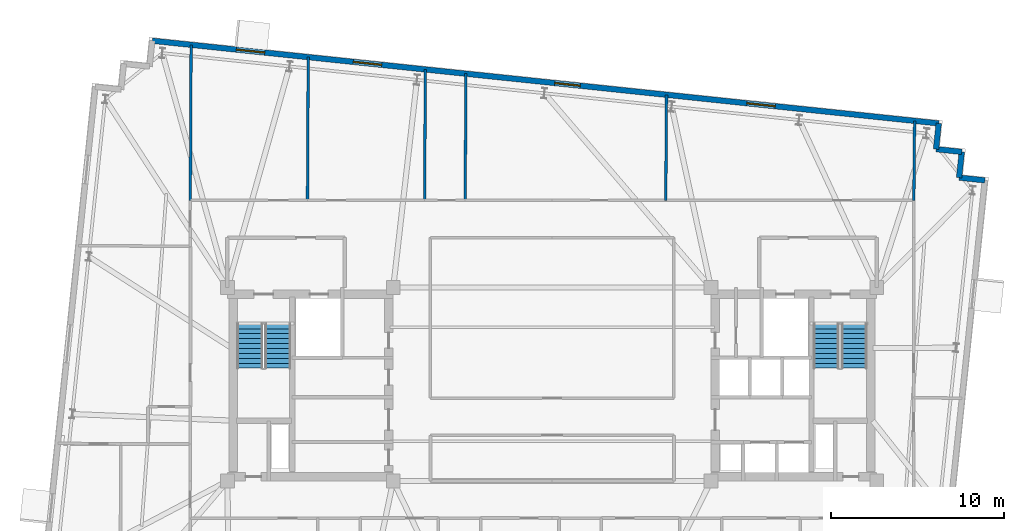
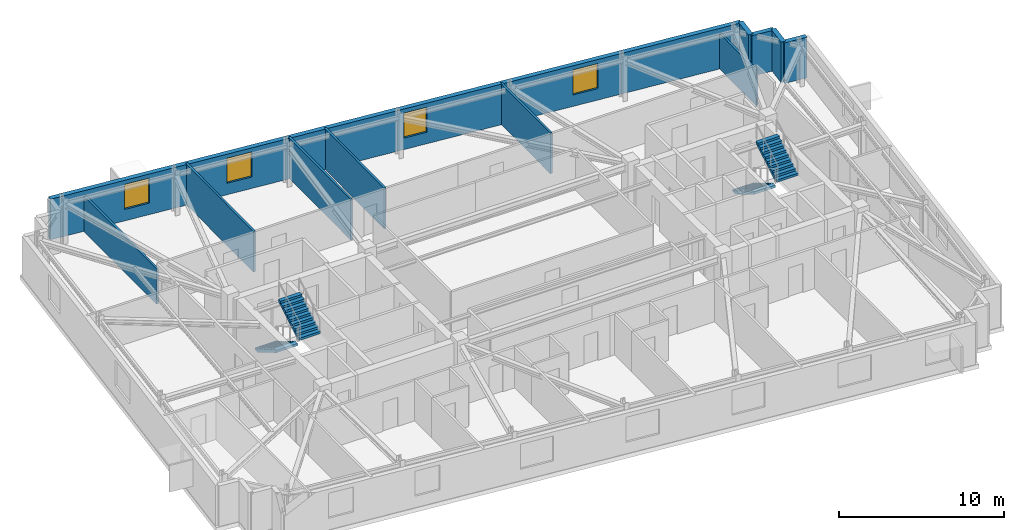
# One storey, part 9 of 11: 11 walls, 4 stair flights, 4 windows, 4 openings, 2 elements without a shape of their own.
"""IFC4 building model written with IfcOpenShell, lengths in metres."""

from ifc_helpers import new_model, si_unit, direction, frame, frame_2d, origin, place, context, subcontext, project, spatial, polyline, rectangle, outline, extrude, material, layer, layer_set, type_object, element, fill, aggregate, save


model = new_model("IFC4")

# Units and contexts
model_context = context("Model", 3, precision=1e-05, world=origin(), true_north=direction((0.0, 1.0)))
body_context = subcontext(model_context, "Body", "Model", "MODEL_VIEW")
ifc_project = project(units=[si_unit("LENGTHUNIT", "METRE"), si_unit("AREAUNIT", "SQUARE_METRE"), si_unit("VOLUMEUNIT", "CUBIC_METRE"), si_unit("PLANEANGLEUNIT", "RADIAN"), si_unit("MASSUNIT", "GRAM", prefix="KILO")], contexts=[model_context])

# Site, building, storey
site_placement = place(None, origin())
site = spatial("IfcSite", under=ifc_project, at=site_placement, CompositionType="ELEMENT")
building_placement = place(site_placement, origin())
building = spatial("IfcBuilding", under=site, at=building_placement, Name="Qobustan Lattice House", CompositionType="ELEMENT")
storey_placement = place(building_placement, frame((0.0, 0.0, 219.85009765625)))
storey = spatial("IfcBuildingStorey", under=building, at=storey_placement, Name="L62", CompositionType="ELEMENT", Elevation=219.85009765625)

# Wall, openings, windows
ifc_material_1 = material(Name="Precast concrete C40/50", Category="concrete")
ifc_layer_1 = layer(ifc_material_1, 0.320068359375)
ifc_layer_set_1 = layer_set([ifc_layer_1], Name="Precast concrete C40/50")
wall_type_1 = type_object("IfcWallType", Name="WAL-EXT-STONE-320", PredefinedType="SOLIDWALL", material=ifc_layer_set_1)
wall_1_placement = place(storey_placement, frame((-23.15576171875, 19.8984375, 0.0), z_axis=(0.0, 0.0, 1.0), x_axis=(0.994522001802, -0.104527450613, 0.0)))
wall_1 = element("IfcWall", 1, at=wall_1_placement, inside=storey, type_object=wall_type_1, Name="L62 exterior limestone-clad wall 10", PredefinedType="SOLIDWALL", context=body_context, shape_type="SweptSolid", body=[
    extrude(rectangle(XDim=45.800048828125, YDim=0.320068359375, at=frame_2d((22.89990234375, 0.0))), origin(), (0.0, 0.0, 1.0), 3.0),
])
opening_1_placement = place(wall_1_placement, frame((4.89990234375, 0.0, 0.85009765625)))
opening_1 = element("IfcOpeningElement", 2, at=opening_1_placement, cuts=wall_1, Name="Opening WN-09", PredefinedType="OPENING", context=body_context, shape_type="SweptSolid", body=[
    extrude(rectangle(XDim=1.64990234375, YDim=1.85009765625, at=frame_2d((0.824951171875, 0.925048828125))), frame((0.0, 0.169921875, 0.0), z_axis=(0.0, -1.0, 0.0), x_axis=(1.0, 0.0, 0.0)), (0.0, 0.0, 1.0), 0.340087890625),
])
opening_2_placement = place(wall_1_placement, frame((11.7060546875, 0.0, 0.85009765625)))
opening_2 = element("IfcOpeningElement", 3, at=opening_2_placement, cuts=wall_1, Name="Opening WN-09", PredefinedType="OPENING", context=body_context, shape_type="SweptSolid", body=[
    extrude(rectangle(XDim=1.64990234375, YDim=1.85009765625, at=frame_2d((0.824951171875, 0.925048828125))), frame((0.0, 0.169921875, 0.0), z_axis=(0.0, -1.0, 0.0), x_axis=(1.0, 0.0, 0.0)), (0.0, 0.0, 1.0), 0.340087890625),
])
opening_3_placement = place(wall_1_placement, frame((23.43115234375, 0.0, 0.85009765625)))
opening_3 = element("IfcOpeningElement", 4, at=opening_3_placement, cuts=wall_1, Name="Opening WN-01", PredefinedType="OPENING", context=body_context, shape_type="SweptSolid", body=[
    extrude(rectangle(XDim=1.5, YDim=1.85009765625, at=frame_2d((0.75, 0.925048828125))), frame((0.0, 0.169921875, 0.0), z_axis=(0.0, -1.0, 0.0), x_axis=(1.0, 0.0, 0.0)), (0.0, 0.0, 1.0), 0.340087890625),
])
opening_4_placement = place(wall_1_placement, frame((34.628173828125, 0.0, 0.85009765625)))
opening_4 = element("IfcOpeningElement", 5, at=opening_4_placement, cuts=wall_1, Name="Opening WN-09", PredefinedType="OPENING", context=body_context, shape_type="SweptSolid", body=[
    extrude(rectangle(XDim=1.64990234375, YDim=1.85009765625, at=frame_2d((0.824951171875, 0.925048828125))), frame((0.0, 0.169921875, 0.0), z_axis=(0.0, -1.0, 0.0), x_axis=(1.0, 0.0, 0.0)), (0.0, 0.0, 1.0), 0.340087890625),
])
ifc_material_2 = material(Name="Double-glazed low-E aluminium window", Category="aluminium")
window_type_1 = type_object("IfcWindowType", Name="WIN-BED-1500x1850", PartitioningType="SINGLE_PANEL", PredefinedType="WINDOW", material=ifc_material_2)
window_1_placement = place(opening_3_placement, origin())
window_1 = element("IfcWindow", 6, at=window_1_placement, inside=storey, type_object=window_type_1, Name="L62 Laundry utility room window", OverallHeight=1.85009765625, OverallWidth=1.5, PartitioningType="SINGLE_PANEL", PredefinedType="WINDOW", context=body_context, shape_type="SweptSolid", body=[
    extrude(rectangle(XDim=1.5, YDim=1.85009765625, at=frame_2d((0.75, 0.925048828125))), frame((0.0, 0.030029296875, 0.0), z_axis=(0.0, -1.0, 0.0), x_axis=(1.0, 0.0, 0.0)), (0.0, 0.0, 1.0), 0.06005859375),
])
fill(opening_3, window_1)
ifc_material_3 = material(Name="Double-glazed low-E aluminium window", Category="aluminium")
window_type_2 = type_object("IfcWindowType", Name="WIN-STU-1650x1850", PartitioningType="SINGLE_PANEL", PredefinedType="WINDOW", material=ifc_material_3)
window_2_placement = place(opening_1_placement, origin())
window_2 = element("IfcWindow", 7, at=window_2_placement, inside=storey, type_object=window_type_2, Name="L62 Focus study room N1A window", OverallHeight=1.85009765625, OverallWidth=1.64990234375, PartitioningType="SINGLE_PANEL", PredefinedType="WINDOW", context=body_context, shape_type="SweptSolid", body=[
    extrude(rectangle(XDim=1.64990234375, YDim=1.85009765625, at=frame_2d((0.824951171875, 0.925048828125))), frame((0.0, 0.030029296875, 0.0), z_axis=(0.0, -1.0, 0.0), x_axis=(1.0, 0.0, 0.0)), (0.0, 0.0, 1.0), 0.06005859375),
])
fill(opening_1, window_2)
window_3_placement = place(opening_2_placement, origin())
window_3 = element("IfcWindow", 8, at=window_3_placement, inside=storey, type_object=window_type_2, Name="L62 Focus study room N1B window", OverallHeight=1.85009765625, OverallWidth=1.64990234375, PartitioningType="SINGLE_PANEL", PredefinedType="WINDOW", context=body_context, shape_type="SweptSolid", body=[
    extrude(rectangle(XDim=1.64990234375, YDim=1.85009765625, at=frame_2d((0.824951171875, 0.925048828125))), frame((0.0, 0.030029296875, 0.0), z_axis=(0.0, -1.0, 0.0), x_axis=(1.0, 0.0, 0.0)), (0.0, 0.0, 1.0), 0.06005859375),
])
fill(opening_2, window_3)
window_4_placement = place(opening_4_placement, origin())
window_4 = element("IfcWindow", 9, at=window_4_placement, inside=storey, type_object=window_type_2, Name="L62 Focus study room N3 window", OverallHeight=1.85009765625, OverallWidth=1.64990234375, PartitioningType="SINGLE_PANEL", PredefinedType="WINDOW", context=body_context, shape_type="SweptSolid", body=[
    extrude(rectangle(XDim=1.64990234375, YDim=1.85009765625, at=frame_2d((0.824951171875, 0.925048828125))), frame((0.0, 0.030029296875, 0.0), z_axis=(0.0, -1.0, 0.0), x_axis=(1.0, 0.0, 0.0)), (0.0, 0.0, 1.0), 0.06005859375),
])
fill(opening_4, window_4)

# Walls
wall_2_placement = place(storey_placement, frame((22.393310546875, 15.111083984375, 0.0), z_axis=(0.0, 0.0, 1.0), x_axis=(-0.104481464157, -0.994526834051, 0.0)))
element("IfcWall", 10, at=wall_2_placement, inside=storey, type_object=wall_type_1, Name="L62 exterior limestone-clad wall 11", PredefinedType="SOLIDWALL", context=body_context, shape_type="SweptSolid", body=[
    extrude(rectangle(XDim=1.500244140625, YDim=0.320068359375, at=frame_2d((0.75, 0.0))), origin(), (0.0, 0.0, 1.0), 3.0),
])
for number, where, z_axis, x_axis, name in (
    (11, (22.236572265625, 13.619140625, 0.0), (0.0, 0.0, 1.0), (0.994525057048, -0.104498377516, 0.0), "L62 exterior limestone-clad wall 12"),
    (12, (23.728271484375, 13.46240234375, 0.0), (0.0, 0.0, 1.0), (-0.104498377516, -0.994525057048, 0.0), "L62 exterior limestone-clad wall 13"),
    (13, (23.571533203125, 11.970703125, 0.0), (0.0, 0.0, 1.0), (0.994508128223, -0.104659366031, 0.0), "L62 exterior limestone-clad wall 14"),
):
    element("IfcWall", number, at=place(storey_placement, frame(where, z_axis=z_axis, x_axis=x_axis)), inside=storey, type_object=wall_type_1, Name=name, PredefinedType="SOLIDWALL", context=body_context, shape_type="SweptSolid", body=[
        extrude(rectangle(XDim=1.5, YDim=0.320068359375, at=frame_2d((0.75, 0.0))), origin(), (0.0, 0.0, 1.0), 3.0),
    ])
ifc_material_4 = material(Name="Acoustic twin-stud gypsum partition", Category="gypsum")
ifc_layer_2 = layer(ifc_material_4, 0.14990234375)
ifc_layer_set_2 = layer_set([ifc_layer_2], Name="Acoustic twin-stud gypsum partition")
wall_type_2 = type_object("IfcWallType", Name="WAL-PART-150", PredefinedType="PARTITIONING", material=ifc_layer_set_2)
wall_3_placement = place(storey_placement, frame((-20.906005859375, 19.661865234375, 0.0), z_axis=(0.0, 0.0, 1.0), x_axis=(-0.004876272857, -0.999988110911, 0.0)))
element("IfcWall", 14, at=wall_3_placement, inside=storey, type_object=wall_type_2, Name="L62 interior partition 76", PredefinedType="PARTITIONING", context=body_context, shape_type="SweptSolid", body=[
    extrude(rectangle(XDim=9.011962890625, YDim=0.14990234375, at=frame_2d((4.505859375, 0.0))), origin(), (0.0, 0.0, 1.0), 2.625),
])
wall_4_placement = place(storey_placement, frame((20.949951171875, 10.64990234375, 0.0), z_axis=(0.0, 0.0, 1.0), x_axis=(0.009535990233, 0.999954531411, 0.0)))
element("IfcWall", 15, at=wall_4_placement, inside=storey, type_object=wall_type_2, Name="L62 interior partition 79", PredefinedType="PARTITIONING", context=body_context, shape_type="SweptSolid", body=[
    extrude(rectangle(XDim=4.6083984375, YDim=0.14990234375, at=frame_2d((2.30419921875, 0.0))), origin(), (0.0, 0.0, 1.0), 2.625),
])
wall_5_placement = place(storey_placement, frame((-14.12255859375, 18.948974609375, 0.0), z_axis=(0.0, 0.0, 1.0), x_axis=(-0.005295133602, -0.999985980682, 0.0)))
element("IfcWall", 16, at=wall_5_placement, inside=storey, type_object=wall_type_2, Name="L62 interior partition 80", PredefinedType="PARTITIONING", context=body_context, shape_type="SweptSolid", body=[
    extrude(rectangle(XDim=8.299072265625, YDim=0.14990234375, at=frame_2d((4.1494140625, 0.0))), origin(), (0.0, 0.0, 1.0), 3.0),
])
wall_6_placement = place(storey_placement, frame((6.626953125, 16.76806640625, 0.0), z_axis=(0.0, 0.0, 1.0), x_axis=(-0.007182576093, -0.999974204968, 0.0)))
element("IfcWall", 17, at=wall_6_placement, inside=storey, type_object=wall_type_2, Name="L62 interior partition 83", PredefinedType="PARTITIONING", context=body_context, shape_type="SweptSolid", body=[
    extrude(rectangle(XDim=6.118408203125, YDim=0.14990234375, at=frame_2d((3.05908203125, 0.0))), origin(), (0.0, 0.0, 1.0), 3.0),
])
ifc_material_5 = material(Name="Moisture-resistant acoustic plumbing wall", Category="gypsum")
ifc_layer_3 = layer(ifc_material_5, 0.14990234375)
ifc_layer_set_3 = layer_set([ifc_layer_3], Name="Moisture-resistant acoustic plumbing wall")
wall_type_3 = type_object("IfcWallType", Name="WAL-WET-150", PredefinedType="PLUMBINGWALL", material=ifc_layer_set_3)
wall_7_placement = place(storey_placement, frame((-7.339111328125, 18.236083984375, 0.0), z_axis=(0.0, 0.0, 1.0), x_axis=(-0.005792713287, -0.999983222096, 0.0)))
element("IfcWall", 18, at=wall_7_placement, inside=storey, type_object=wall_type_3, Name="L62 interior partition 81", PredefinedType="PLUMBINGWALL", context=body_context, shape_type="SweptSolid", body=[
    extrude(rectangle(XDim=7.58642578125, YDim=0.14990234375, at=frame_2d((3.793212890625, 0.0))), origin(), (0.0, 0.0, 1.0), 3.0),
])
wall_8_placement = place(storey_placement, frame((-4.989013671875, 17.989013671875, 0.0), z_axis=(0.0, 0.0, 1.0), x_axis=(-0.005987717415, -0.999982073459, 0.0)))
element("IfcWall", 19, at=wall_8_placement, inside=storey, type_object=wall_type_3, Name="L62 interior partition 82", PredefinedType="PLUMBINGWALL", context=body_context, shape_type="SweptSolid", body=[
    extrude(rectangle(XDim=7.33935546875, YDim=0.14990234375, at=frame_2d((3.669677734375, 0.0))), origin(), (0.0, 0.0, 1.0), 3.0),
])

# Stair, stair flights
ifc_material_6 = material(Name="Concrete C40/50", Category="concrete")
stair_type = type_object("IfcStairType", Name="STR-CORE-DOGLEG", PredefinedType="HALF_TURN_STAIR", material=ifc_material_6)
stair_1_placement = place(storey_placement, origin())
stair_1 = element("IfcStair", 20, at=stair_1_placement, inside=storey, type_object=stair_type, Name="L62 West protected exit stair ST-W1", PredefinedType="HALF_TURN_STAIR")
ifc_material_7 = material(Name="Concrete C40/50", Category="concrete")
stair_flight_type = type_object("IfcStairFlightType", Name="SFL-RC-1500", PredefinedType="STRAIGHT", material=ifc_material_7)
stair_flight_1_placement = place(storey_placement, frame((-17.5, 3.5, 0.0), z_axis=(0.0, 0.0, 1.0), x_axis=(0.0, -1.0, 0.0)))
stair_flight_1 = element("IfcStairFlight", 21, at=stair_flight_1_placement, type_object=stair_flight_type, Name="ST-W1 flight 1", NumberOfRisers=10, NumberOfTreads=9, PredefinedType="STRAIGHT", RiserHeight=0.1675, TreadLength=0.285, context=body_context, shape_type="SweptSolid", body=[
    extrude(outline(polyline([(0.0, 0.0), (0.0, 0.16748046875), (0.284912109375, 0.16748046875), (0.284912109375, 0.3349609375), (0.570068359375, 0.3349609375), (0.570068359375, 0.50244140625), (0.85498046875, 0.50244140625), (0.85498046875, 0.669921875), (1.139892578125, 0.669921875), (1.139892578125, 0.83740234375), (1.425048828125, 0.83740234375), (1.425048828125, 1.0048828125), (1.7099609375, 1.0048828125), (1.7099609375, 1.172607421875), (1.9951171875, 1.172607421875), (1.9951171875, 1.340087890625), (2.280029296875, 1.340087890625), (2.280029296875, 1.507568359375), (2.56494140625, 1.507568359375), (2.56494140625, 1.675048828125), (2.56494140625, 1.333740234375), (0.2958984375, 0.0), (0.0, 0.0)])), frame((0.0, 0.75, 0.0), z_axis=(0.0, -1.0, 0.0), x_axis=(1.0, 0.0, 0.0)), (0.0, 0.0, 1.0), 1.5),
])
stair_flight_2_placement = place(storey_placement, frame((-15.8798828125, 0.93505859375, 1.6748046875), z_axis=(0.0, 0.0, 1.0), x_axis=(0.0, 1.0, 0.0)))
stair_flight_2 = element("IfcStairFlight", 22, at=stair_flight_2_placement, type_object=stair_flight_type, Name="ST-W1 flight 2", NumberOfRisers=10, NumberOfTreads=9, PredefinedType="STRAIGHT", RiserHeight=0.1675, TreadLength=0.285, context=body_context, shape_type="SweptSolid", body=[
    extrude(outline(polyline([(0.0, 0.0), (0.0, 0.16748046875), (0.284912109375, 0.16748046875), (0.284912109375, 0.3349609375), (0.570068359375, 0.3349609375), (0.570068359375, 0.50244140625), (0.85498046875, 0.50244140625), (0.85498046875, 0.669921875), (1.139892578125, 0.669921875), (1.139892578125, 0.83740234375), (1.425048828125, 0.83740234375), (1.425048828125, 1.0048828125), (1.7099609375, 1.0048828125), (1.7099609375, 1.172607421875), (1.9951171875, 1.172607421875), (1.9951171875, 1.340087890625), (2.280029296875, 1.340087890625), (2.280029296875, 1.507568359375), (2.56494140625, 1.507568359375), (2.56494140625, 1.675048828125), (2.56494140625, 1.333740234375), (0.2958984375, 0.0), (0.0, 0.0)])), frame((0.0, 0.75, 0.0), z_axis=(0.0, -1.0, 0.0), x_axis=(1.0, 0.0, 0.0)), (0.0, 0.0, 1.0), 1.5),
])
aggregate(stair_1, [stair_flight_1, stair_flight_2])

stair_2_placement = place(storey_placement, origin())
stair_2 = element("IfcStair", 23, at=stair_2_placement, inside=storey, type_object=stair_type, Name="L62 East protected exit stair ST-E1", PredefinedType="HALF_TURN_STAIR")
stair_flight_3_placement = place(storey_placement, frame((15.8798828125, 3.5, 0.0), z_axis=(0.0, 0.0, 1.0), x_axis=(0.0, -1.0, 0.0)))
stair_flight_3 = element("IfcStairFlight", 24, at=stair_flight_3_placement, type_object=stair_flight_type, Name="ST-E1 flight 1", NumberOfRisers=10, NumberOfTreads=9, PredefinedType="STRAIGHT", RiserHeight=0.1675, TreadLength=0.285, context=body_context, shape_type="SweptSolid", body=[
    extrude(outline(polyline([(0.0, 0.0), (0.0, 0.16748046875), (0.284912109375, 0.16748046875), (0.284912109375, 0.3349609375), (0.570068359375, 0.3349609375), (0.570068359375, 0.50244140625), (0.85498046875, 0.50244140625), (0.85498046875, 0.669921875), (1.139892578125, 0.669921875), (1.139892578125, 0.83740234375), (1.425048828125, 0.83740234375), (1.425048828125, 1.0048828125), (1.7099609375, 1.0048828125), (1.7099609375, 1.172607421875), (1.9951171875, 1.172607421875), (1.9951171875, 1.340087890625), (2.280029296875, 1.340087890625), (2.280029296875, 1.507568359375), (2.56494140625, 1.507568359375), (2.56494140625, 1.675048828125), (2.56494140625, 1.333740234375), (0.2958984375, 0.0), (0.0, 0.0)])), frame((0.0, 0.75, 0.0), z_axis=(0.0, -1.0, 0.0), x_axis=(1.0, 0.0, 0.0)), (0.0, 0.0, 1.0), 1.5),
])
stair_flight_4_placement = place(storey_placement, frame((17.5, 0.93505859375, 1.6748046875), z_axis=(0.0, 0.0, 1.0), x_axis=(0.0, 1.0, 0.0)))
stair_flight_4 = element("IfcStairFlight", 25, at=stair_flight_4_placement, type_object=stair_flight_type, Name="ST-E1 flight 2", NumberOfRisers=10, NumberOfTreads=9, PredefinedType="STRAIGHT", RiserHeight=0.1675, TreadLength=0.285, context=body_context, shape_type="SweptSolid", body=[
    extrude(outline(polyline([(0.0, 0.0), (0.0, 0.16748046875), (0.284912109375, 0.16748046875), (0.284912109375, 0.3349609375), (0.570068359375, 0.3349609375), (0.570068359375, 0.50244140625), (0.85498046875, 0.50244140625), (0.85498046875, 0.669921875), (1.139892578125, 0.669921875), (1.139892578125, 0.83740234375), (1.425048828125, 0.83740234375), (1.425048828125, 1.0048828125), (1.7099609375, 1.0048828125), (1.7099609375, 1.172607421875), (1.9951171875, 1.172607421875), (1.9951171875, 1.340087890625), (2.280029296875, 1.340087890625), (2.280029296875, 1.507568359375), (2.56494140625, 1.507568359375), (2.56494140625, 1.675048828125), (2.56494140625, 1.333740234375), (0.2958984375, 0.0), (0.0, 0.0)])), frame((0.0, 0.75, 0.0), z_axis=(0.0, -1.0, 0.0), x_axis=(1.0, 0.0, 0.0)), (0.0, 0.0, 1.0), 1.5),
])
aggregate(stair_2, [stair_flight_3, stair_flight_4])

save(model, "model.ifc")
